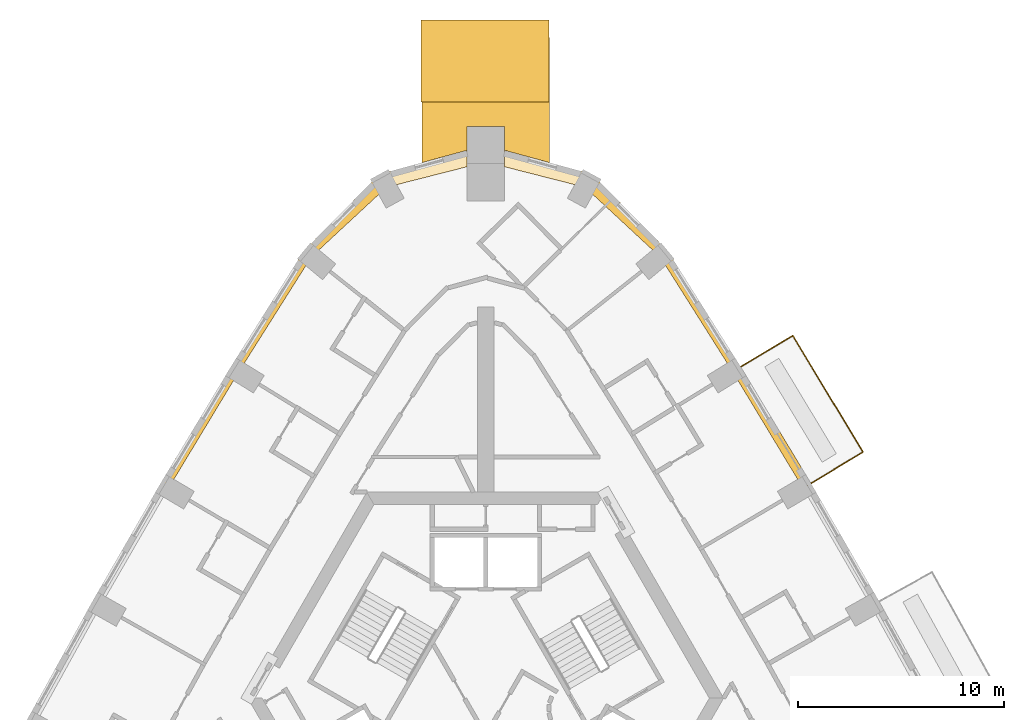
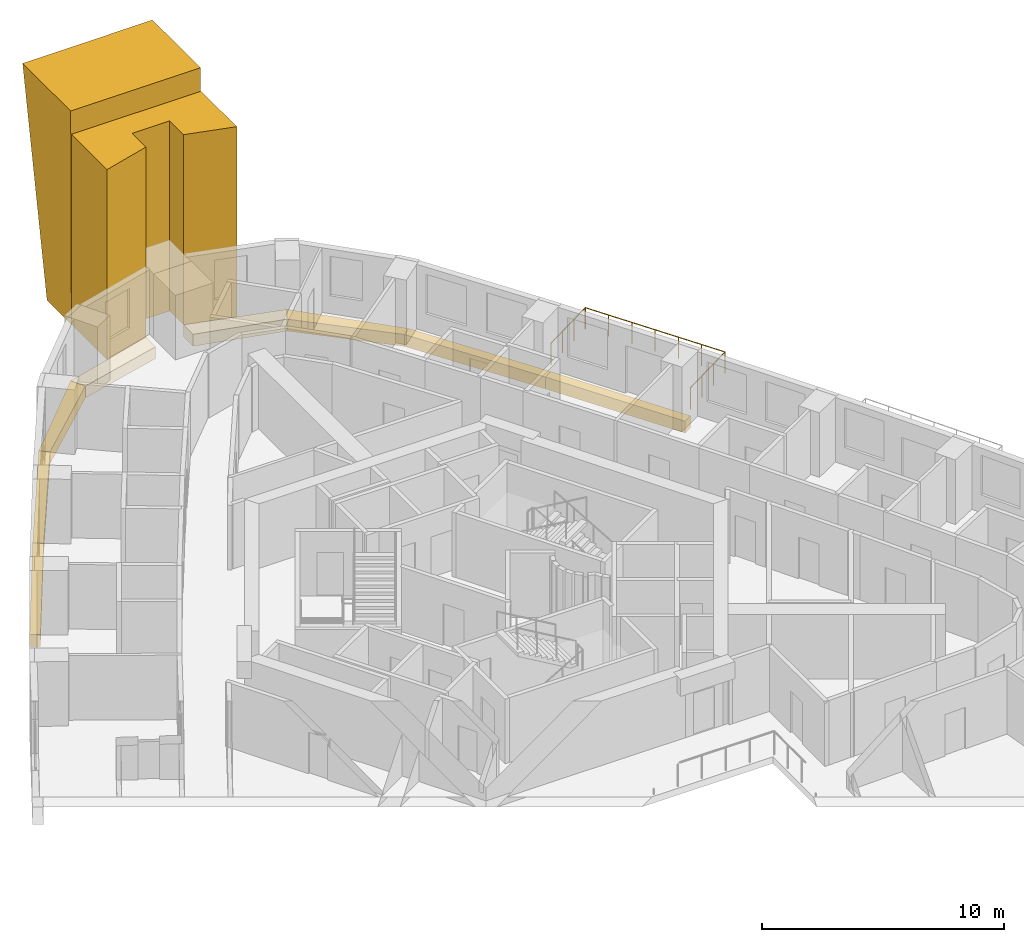
# One storey, part 14 of 14: 10 coverings, 1 railing.
"""IFC4 building model written with IfcOpenShell, lengths in metres."""

from ifc_helpers import new_model, si_unit, direction, frame, origin, origin_2d, place, context, subcontext, project, spatial, polyline, circle, outline, extrude, material, type_object, element, save


model = new_model("IFC4")

# Units and contexts
model_context = context("Model", 3, precision=1e-05, world=origin(), true_north=direction((0.0, 1.0)))
body_context = subcontext(model_context, "Body", "Model", "MODEL_VIEW")
ifc_project = project(units=[si_unit("LENGTHUNIT", "METRE"), si_unit("AREAUNIT", "SQUARE_METRE"), si_unit("VOLUMEUNIT", "CUBIC_METRE"), si_unit("PLANEANGLEUNIT", "RADIAN"), si_unit("MASSUNIT", "GRAM", prefix="KILO")], contexts=[model_context])

# Site, building, storey
site_placement = place(None, origin())
site = spatial("IfcSite", under=ifc_project, at=site_placement, CompositionType="ELEMENT")
building_placement = place(site_placement, origin())
building = spatial("IfcBuilding", under=site, at=building_placement, Name="Entoto Arch Interchange Tower", CompositionType="ELEMENT")
storey_placement = place(building_placement, frame((0.0, 0.0, 252.199951171875)))
storey = spatial("IfcBuildingStorey", under=building, at=storey_placement, Name="L57", CompositionType="ELEMENT", Elevation=252.199951171875)

# Railing
ifc_material_1 = material(Name="Stainless steel 1.4301", Category="steel")
railing_type = type_object("IfcRailingType", Name="GUARD 1100 STEEL AND GLASS", PredefinedType="GUARDRAIL", material=ifc_material_1)
railing_placement = place(storey_placement, frame((15.785888671875, 12.926025390625, 0.0)))
element("IfcRailing", 1, at=railing_placement, inside=storey, type_object=railing_type, Name="Balcony guard NE-04 L57", PredefinedType="GUARDRAIL", context=body_context, shape_type="SweptSolid", body=[
    extrude(circle(Radius=0.02392578125, at=origin_2d()), frame((0.0, 0.0, 1.076171875), z_axis=(0.856402849076, 0.516308202622, 0.0), x_axis=(-0.516308202622, 0.856402849076, 0.0)), (0.0, 0.0, 1.0), 2.94970703125),
    extrude(circle(Radius=0.02392578125, at=origin_2d()), frame((2.526123046875, 1.52294921875, 1.076171875), z_axis=(-0.516310306714, 0.856401580557, 0.0), x_axis=(-0.856401580557, -0.516310306714, 0.0)), (0.0, 0.0, 1.0), 6.6044921875),
    extrude(circle(Radius=0.02392578125, at=origin_2d()), frame((-0.8837890625, 7.178955078125, 1.076171875), z_axis=(-0.856402849076, -0.516308202622, 0.0), x_axis=(0.516308202622, -0.856402849076, 0.0)), (0.0, 0.0, 1.0), 2.94970703125),
    extrude(circle(Radius=0.02099609375, at=origin_2d()), origin(), (0.0, 0.0, 1.0), 1.052001953125),
    extrude(circle(Radius=0.02099609375, at=origin_2d()), frame((0.842041015625, 0.507568359375, 0.0)), (0.0, 0.0, 1.0), 1.052001953125),
    extrude(circle(Radius=0.02099609375, at=origin_2d()), frame((1.68408203125, 1.015380859375, 0.0)), (0.0, 0.0, 1.0), 1.052001953125),
    extrude(circle(Radius=0.02099609375, at=origin_2d()), frame((2.526123046875, 1.52294921875, 0.0)), (0.0, 0.0, 1.0), 1.052001953125),
    extrude(circle(Radius=0.02099609375, at=origin_2d()), frame((1.957763671875, 2.465576171875, 0.0)), (0.0, 0.0, 1.0), 1.052001953125),
    extrude(circle(Radius=0.02099609375, at=origin_2d()), frame((1.389404296875, 3.408203125, 0.0)), (0.0, 0.0, 1.0), 1.052001953125),
    extrude(circle(Radius=0.02099609375, at=origin_2d()), frame((0.8212890625, 4.35107421875, 0.0)), (0.0, 0.0, 1.0), 1.052001953125),
    extrude(circle(Radius=0.02099609375, at=origin_2d()), frame((0.2529296875, 5.293701171875, 0.0)), (0.0, 0.0, 1.0), 1.052001953125),
    extrude(circle(Radius=0.02099609375, at=origin_2d()), frame((-0.3154296875, 6.236328125, 0.0)), (0.0, 0.0, 1.0), 1.052001953125),
    extrude(circle(Radius=0.02099609375, at=origin_2d()), frame((-0.8837890625, 7.178955078125, 0.0)), (0.0, 0.0, 1.0), 1.052001953125),
    extrude(circle(Radius=0.02099609375, at=origin_2d()), frame((-1.725830078125, 6.67138671875, 0.0)), (0.0, 0.0, 1.0), 1.052001953125),
    extrude(circle(Radius=0.02099609375, at=origin_2d()), frame((-2.56787109375, 6.16357421875, 0.0)), (0.0, 0.0, 1.0), 1.052001953125),
    extrude(circle(Radius=0.02099609375, at=origin_2d()), frame((-3.409912109375, 5.656005859375, 0.0)), (0.0, 0.0, 1.0), 1.052001953125),
])

# Coverings
ifc_material_2 = material(Name="Board-marked precast concrete C50/60", Category="concrete")
covering_type_1 = type_object("IfcCoveringType", Name="PRECAST FRAME COURSE", PredefinedType="CLADDING", material=ifc_material_2)
covering_1_placement = place(storey_placement, frame((0.0, 0.0, -0.33984375)))
element("IfcCovering", 2, at=covering_1_placement, inside=storey, type_object=covering_type_1, Name="Corner pilaster N L57-L59", PredefinedType="CLADDING", context=body_context, shape_type="SweptSolid", body=[
    extrude(outline(polyline([(-3.10009765625, 31.447021484375), (3.10009765625, 31.447021484375), (3.10009765625, 28.498046875), (0.89990234375, 29.10107421875), (0.89990234375, 30.2470703125), (-0.89990234375, 30.2470703125), (-0.89990234375, 29.10107421875), (-3.10009765625, 28.498046875), (-3.10009765625, 31.447021484375)])), origin(), (0.0, 0.0, 1.0), 9.599853515625),
])
covering_2_placement = place(storey_placement, frame((3.10009765625, 31.447021484375, -0.33984375), z_axis=(0.999995615117, 0.0, 0.002961375929), x_axis=(0.0, 1.0, 0.0)))
element("IfcCovering", 3, at=covering_2_placement, inside=storey, type_object=covering_type_1, Name="Corner rib N L57-L59", PredefinedType="CLADDING", context=body_context, shape_type="SweptSolid", body=[
    extrude(outline(polyline([(0.0, 0.0), (2.010986328125, 0.0), (3.97509765625, 10.799852043590967), (0.0, 10.799852043590967), (0.0, 0.0)])), origin(), (0.0, 0.0, -1.0), 6.199951171875),
])
covering_type_2 = type_object("IfcCoveringType", Name="PRECAST LEDGE COURSE", PredefinedType="CLADDING", material=ifc_material_2)
covering_3_placement = place(storey_placement, frame((0.0, 0.0, -0.93994140625)))
element("IfcCovering", 4, at=covering_3_placement, inside=storey, type_object=covering_type_2, Name="Precast course NE-04 L57", PredefinedType="CLADDING", context=body_context, shape_type="SweptSolid", body=[
    extrude(outline(polyline([(11.988037109375, 18.342041015625), (12.3759765625, 18.58203125), (15.785888671875, 12.926025390625), (15.39794921875, 12.697021484375), (11.988037109375, 18.342041015625)])), origin(), (0.0, 0.0, 1.0), 0.60009765625),
])
covering_4_placement = place(storey_placement, frame((0.0, 0.0, -0.93994140625)))
element("IfcCovering", 5, at=covering_4_placement, inside=storey, type_object=covering_type_2, Name="Precast course NE-05 L57", PredefinedType="CLADDING", context=body_context, shape_type="SweptSolid", body=[
    extrude(outline(polyline([(8.466064453125, 23.91796875), (8.8291015625, 24.219970703125), (12.3759765625, 18.58203125), (11.988037109375, 18.342041015625), (8.466064453125, 23.91796875)])), origin(), (0.0, 0.0, 1.0), 0.60009765625),
])
covering_5_placement = place(storey_placement, frame((0.0, 0.0, -0.93994140625)))
element("IfcCovering", 6, at=covering_5_placement, inside=storey, type_object=covering_type_2, Name="Precast course N-01 L57", PredefinedType="CLADDING", context=body_context, shape_type="SweptSolid", body=[
    extrude(outline(polyline([(4.820068359375, 27.302001953125), (5.1640625, 27.93310546875), (8.8291015625, 24.219970703125), (8.466064453125, 23.91796875), (4.820068359375, 27.302001953125)])), origin(), (0.0, 0.0, 1.0), 0.60009765625),
])
covering_6_placement = place(storey_placement, frame((0.0, 0.0, -0.93994140625)))
element("IfcCovering", 7, at=covering_6_placement, inside=storey, type_object=covering_type_2, Name="Precast course N-02 L57", PredefinedType="CLADDING", context=body_context, shape_type="SweptSolid", body=[
    extrude(outline(polyline([(0.89990234375, 28.300048828125), (0.89990234375, 29.10107421875), (5.1640625, 27.93310546875), (4.820068359375, 27.302001953125), (0.89990234375, 28.300048828125)])), origin(), (0.0, 0.0, 1.0), 0.60009765625),
])
covering_7_placement = place(storey_placement, frame((0.0, 0.0, -0.93994140625)))
element("IfcCovering", 8, at=covering_7_placement, inside=storey, type_object=covering_type_2, Name="Precast course N-03 L57", PredefinedType="CLADDING", context=body_context, shape_type="SweptSolid", body=[
    extrude(outline(polyline([(-4.820068359375, 27.302001953125), (-5.1640625, 27.93310546875), (-0.89990234375, 29.10107421875), (-0.89990234375, 28.300048828125), (-4.820068359375, 27.302001953125)])), origin(), (0.0, 0.0, 1.0), 0.60009765625),
])
covering_8_placement = place(storey_placement, frame((0.0, 0.0, -0.93994140625)))
element("IfcCovering", 9, at=covering_8_placement, inside=storey, type_object=covering_type_2, Name="Precast course N-04 L57", PredefinedType="CLADDING", context=body_context, shape_type="SweptSolid", body=[
    extrude(outline(polyline([(-8.466064453125, 23.91796875), (-8.8291015625, 24.219970703125), (-5.1640625, 27.93310546875), (-4.820068359375, 27.302001953125), (-8.466064453125, 23.91796875)])), origin(), (0.0, 0.0, 1.0), 0.60009765625),
])
covering_9_placement = place(storey_placement, frame((0.0, 0.0, -0.93994140625)))
element("IfcCovering", 10, at=covering_9_placement, inside=storey, type_object=covering_type_2, Name="Precast course NW-01 L57", PredefinedType="CLADDING", context=body_context, shape_type="SweptSolid", body=[
    extrude(outline(polyline([(-11.988037109375, 18.342041015625), (-12.3759765625, 18.58203125), (-8.8291015625, 24.219970703125), (-8.466064453125, 23.91796875), (-11.988037109375, 18.342041015625)])), origin(), (0.0, 0.0, 1.0), 0.60009765625),
])
covering_10_placement = place(storey_placement, frame((0.0, 0.0, -0.93994140625)))
element("IfcCovering", 11, at=covering_10_placement, inside=storey, type_object=covering_type_2, Name="Precast course NW-02 L57", PredefinedType="CLADDING", context=body_context, shape_type="SweptSolid", body=[
    extrude(outline(polyline([(-15.39794921875, 12.697021484375), (-15.785888671875, 12.926025390625), (-12.3759765625, 18.58203125), (-11.988037109375, 18.342041015625), (-15.39794921875, 12.697021484375)])), origin(), (0.0, 0.0, 1.0), 0.60009765625),
])

save(model, "model.ifc")
